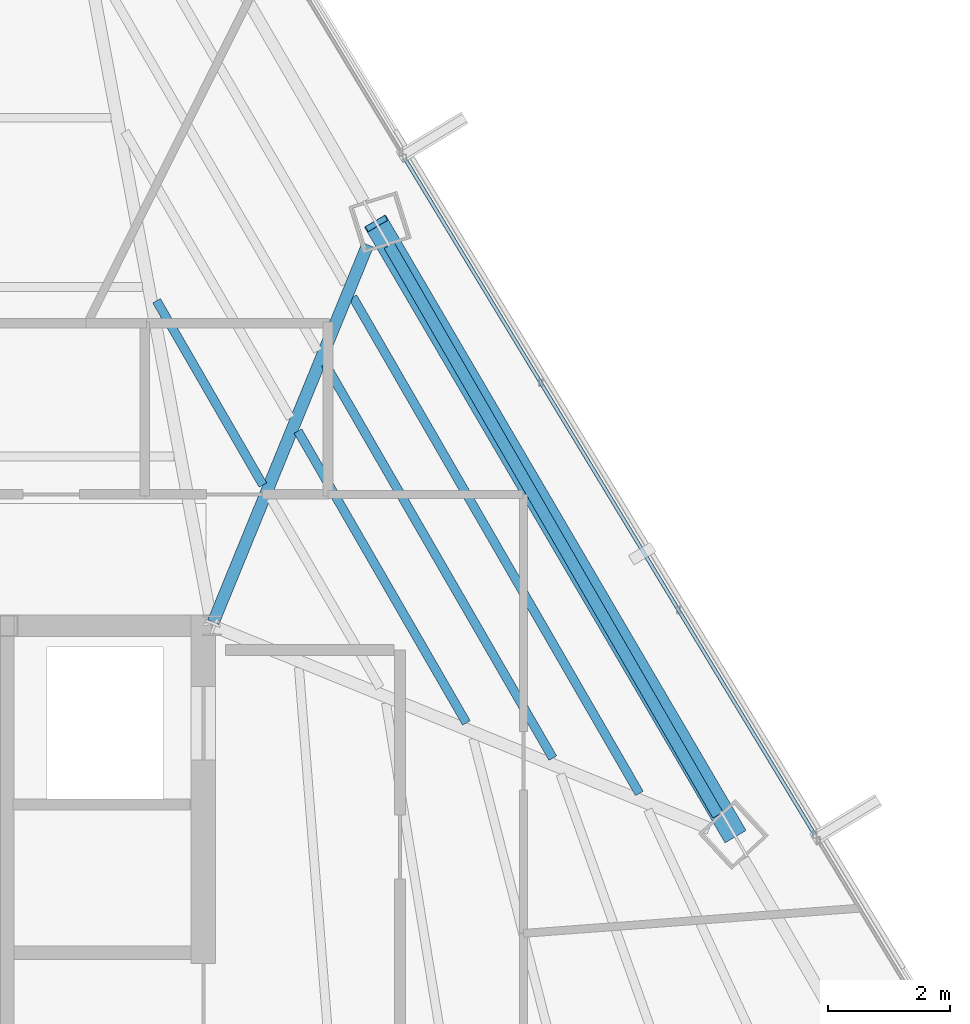
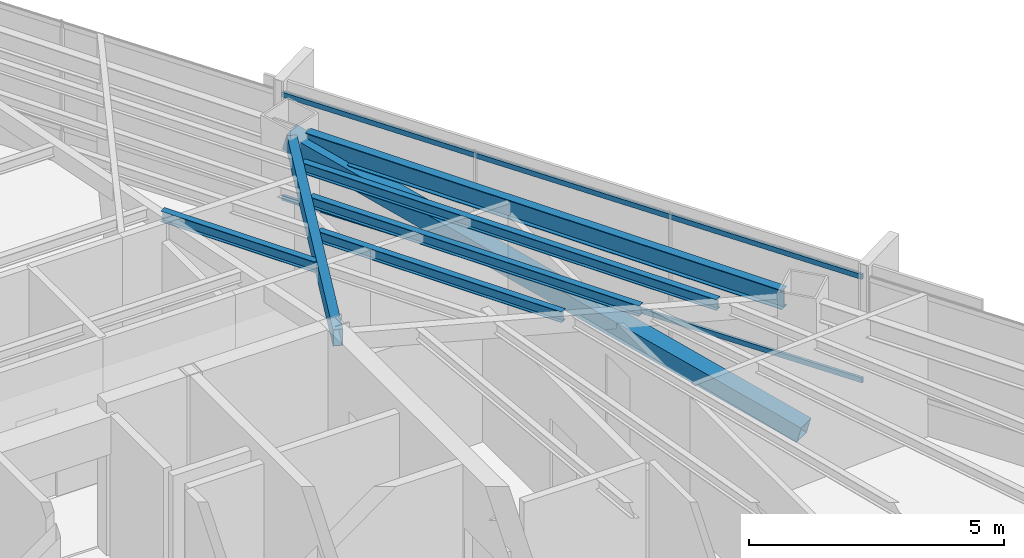
# One storey, part 30 of 47: 6 beams, 3 members, 1 element without a shape of its own.
"""IFC4 building model written with IfcOpenShell, lengths in metres."""

from ifc_helpers import new_model, si_unit, direction, frame, origin, origin_2d, place, context, subcontext, project, spatial, hollow_rectangle, i_section, extrude, source, transform, mapped, material, material_profile, profile_set, type_object, type_shapes, element, aggregate, save


model = new_model("IFC4")

# Units and contexts
model_context = context("Model", 3, precision=1e-05, world=origin(), true_north=direction((0.0, 1.0)))
body_context = subcontext(model_context, "Body", "Model", "MODEL_VIEW")
ifc_project = project(units=[si_unit("LENGTHUNIT", "METRE"), si_unit("AREAUNIT", "SQUARE_METRE"), si_unit("VOLUMEUNIT", "CUBIC_METRE"), si_unit("PLANEANGLEUNIT", "RADIAN"), si_unit("MASSUNIT", "GRAM", prefix="KILO")], contexts=[model_context])

# Site, building, storey
site_placement = place(None, origin())
site = spatial("IfcSite", under=ifc_project, at=site_placement, CompositionType="ELEMENT")
building_placement = place(site_placement, origin())
building = spatial("IfcBuilding", under=site, at=building_placement, Name="Caelisora Broadcast Tower", CompositionType="ELEMENT")
storey_placement = place(building_placement, frame((0.0, 0.0, 229.85009765625)))
storey = spatial("IfcBuildingStorey", under=building, at=storey_placement, Name="L60", CompositionType="ELEMENT", Elevation=229.85009765625)

# Beams
ifc_material_1 = material(Name="Steel Grade 350 (AS/NZS 3679.1)", Category="steel")
ifc_material_profile_1 = material_profile(ifc_material_1, i_section(OverallWidth=0.19091796875, OverallDepth=0.46044921875, WebThickness=0.010009765625, FlangeThickness=0.01611328125, at=origin_2d()), Name="Steel Grade 350 (AS/NZS 3679.1)")
ifc_profile_set_1 = profile_set([ifc_material_profile_1], Name="Steel Grade 350 (AS/NZS 3679.1)")
beam_type_1 = type_object("IfcBeamType", Name="PG06", PredefinedType="BEAM", material=ifc_profile_set_1)
shared_shape_1 = source(origin(), body_context, "Body", "SweptSolid", [
    extrude(i_section(OverallWidth=0.19091796875, OverallDepth=0.46044921875, WebThickness=0.010009765625, FlangeThickness=0.01611328125, at=origin_2d()), origin(), (0.0, 0.0, 1.0), 10.771728515625),
])
type_shapes(beam_type_1, [shared_shape_1])
beam_1_placement = place(storey_placement, frame((53.78857421875, 26.896484375, 3.169677734375), z_axis=(-0.499990586292, 0.866030838723, 0.0), x_axis=(-0.866030838723, -0.499990586292, 0.0)))
element("IfcBeam", 1, at=beam_1_placement, inside=storey, type_object=beam_type_1, Name="L60 beam PG06", PredefinedType="BEAM", context=body_context, shape_type="MappedRepresentation", body=[
    mapped(shared_shape_1, transform((0.0, 0.0, 0.0), scale=1.0)),
])
ifc_material_2 = material(Name="Steel Grade 350 (AS/NZS 1163 C350L0)", Category="steel")
ifc_material_profile_2 = material_profile(ifc_material_2, hollow_rectangle(XDim=0.199951171875, YDim=0.39990234375, WallThickness=0.012451171875, at=origin_2d()), Name="Steel Grade 350 (AS/NZS 1163 C350L0)")
ifc_profile_set_2 = profile_set([ifc_material_profile_2], Name="Steel Grade 350 (AS/NZS 1163 C350L0)")
beam_type_2 = type_object("IfcBeamType", Name="PG07", PredefinedType="BEAM", material=ifc_profile_set_2)
shared_shape_2 = source(origin(), body_context, "Body", "SweptSolid", [
    extrude(hollow_rectangle(XDim=0.199951171875, YDim=0.39990234375, WallThickness=0.012451171875, at=origin_2d()), origin(), (0.0, 0.0, 1.0), 6.679443359375),
])
type_shapes(beam_type_2, [shared_shape_2])
beam_2_placement = place(storey_placement, frame((45.522705078125, 30.055419921875, 3.199951171875), z_axis=(0.378739584532, 0.925503283143, 0.0), x_axis=(-0.925503283143, 0.378739584532, 0.0)))
element("IfcBeam", 2, at=beam_2_placement, inside=storey, type_object=beam_type_2, Name="L60 beam PG07", PredefinedType="BEAM", context=body_context, shape_type="MappedRepresentation", body=[
    mapped(shared_shape_2, transform((0.0, 0.0, 0.0), scale=1.0)),
])
ifc_material_profile_3 = material_profile(ifc_material_1, i_section(OverallWidth=0.14599609375, OverallDepth=0.256103515625, WebThickness=0.00634765625, FlangeThickness=0.010986328125, at=origin_2d()), Name="Steel Grade 350 (AS/NZS 3679.1)")
ifc_profile_set_3 = profile_set([ifc_material_profile_3], Name="Steel Grade 350 (AS/NZS 3679.1)")
beam_type_3 = type_object("IfcBeamType", Name="SB04", PredefinedType="JOIST", material=ifc_profile_set_3)
shared_shape_3 = source(origin(), body_context, "Body", "SweptSolid", [
    extrude(i_section(OverallWidth=0.14599609375, OverallDepth=0.256103515625, WebThickness=0.00634765625, FlangeThickness=0.010986328125, at=origin_2d()), origin(), (0.0, 0.0, 1.0), 3.484375),
])
beam_3_placement = place(storey_placement, frame((46.33642578125, 32.302001953125, 3.271728515625), z_axis=(-0.499944854726, 0.866057239582, 0.0), x_axis=(-0.866057239582, -0.499944854726, 0.0)))
element("IfcBeam", 3, at=beam_3_placement, inside=storey, type_object=beam_type_3, Name="L60 beam SB04", PredefinedType="JOIST", context=body_context, shape_type="MappedRepresentation", body=[
    mapped(shared_shape_3, transform((0.0, 0.0, 0.0), scale=1.0)),
])
shared_shape_4 = source(origin(), body_context, "Body", "SweptSolid", [
    extrude(i_section(OverallWidth=0.14599609375, OverallDepth=0.256103515625, WebThickness=0.00634765625, FlangeThickness=0.010986328125, at=origin_2d()), origin(), (0.0, 0.0, 1.0), 5.518310546875),
])
beam_4_placement = place(storey_placement, frame((49.668212890625, 28.40673828125, 3.271728515625), z_axis=(-0.499979045085, 0.866037501772, 0.0), x_axis=(-0.866037501772, -0.499979045085, 0.0)))
element("IfcBeam", 4, at=beam_4_placement, inside=storey, type_object=beam_type_3, Name="L60 beam SB04", PredefinedType="JOIST", context=body_context, shape_type="MappedRepresentation", body=[
    mapped(shared_shape_4, transform((0.0, 0.0, 0.0), scale=1.0)),
])
shared_shape_5 = source(origin(), body_context, "Body", "SweptSolid", [
    extrude(i_section(OverallWidth=0.14599609375, OverallDepth=0.256103515625, WebThickness=0.00634765625, FlangeThickness=0.010986328125, at=origin_2d()), origin(), (0.0, 0.0, 1.0), 7.451904296875),
])
beam_5_placement = place(storey_placement, frame((51.084228515625, 27.82958984375, 3.271728515625), z_axis=(-0.499983364532, 0.866035008063, 0.0), x_axis=(-0.866035008063, -0.499983364532, 0.0)))
element("IfcBeam", 5, at=beam_5_placement, inside=storey, type_object=beam_type_3, Name="L60 beam SB04", PredefinedType="JOIST", context=body_context, shape_type="MappedRepresentation", body=[
    mapped(shared_shape_5, transform((0.0, 0.0, 0.0), scale=1.0)),
])
shared_shape_6 = source(origin(), body_context, "Body", "SweptSolid", [
    extrude(i_section(OverallWidth=0.14599609375, OverallDepth=0.256103515625, WebThickness=0.00634765625, FlangeThickness=0.010986328125, at=origin_2d()), origin(), (0.0, 0.0, 1.0), 9.38623046875),
])
type_shapes(beam_type_3, [shared_shape_3, shared_shape_4, shared_shape_5, shared_shape_6])
beam_6_placement = place(storey_placement, frame((52.50048828125, 27.252197265625, 3.271728515625), z_axis=(-0.50000239533, 0.866024020835, 0.0), x_axis=(-0.866024020835, -0.50000239533, 0.0)))
element("IfcBeam", 6, at=beam_6_placement, inside=storey, type_object=beam_type_3, Name="L60 beam SB04", PredefinedType="JOIST", context=body_context, shape_type="MappedRepresentation", body=[
    mapped(shared_shape_6, transform((0.0, 0.0, 0.0), scale=1.0)),
])

# Member
ifc_material_3 = material(Name="Steel Grade 450 (AS/NZS 1163 C450L0)", Category="steel")
ifc_material_profile_4 = material_profile(ifc_material_3, hollow_rectangle(XDim=0.39990234375, YDim=0.39990234375, WallThickness=0.01611328125, at=origin_2d()), Name="Steel Grade 450 (AS/NZS 1163 C450L0)")
ifc_profile_set_4 = profile_set([ifc_material_profile_4], Name="Steel Grade 450 (AS/NZS 1163 C450L0)")
member_type_1 = type_object("IfcMemberType", Name="BR04", PredefinedType="BRACE", material=ifc_profile_set_4)
shared_shape_7 = source(origin(), body_context, "Body", "SweptSolid", [
    extrude(hollow_rectangle(XDim=0.39990234375, YDim=0.39990234375, WallThickness=0.01611328125, at=origin_2d()), origin(), (0.0, 0.0, 1.0), 11.969482421875),
])
type_shapes(member_type_1, [shared_shape_7])
member_1_placement = place(storey_placement, frame((54.051025390625, 26.586669921875, 0.099853515625), z_axis=(-0.489265650254, 0.835343537771, 0.250639776142), x_axis=(-0.862886511455, -0.505397732829, 0.0)))
element("IfcMember", 7, at=member_1_placement, inside=storey, type_object=member_type_1, Name="L60 perimeter brace BR04", PredefinedType="BRACE", context=body_context, shape_type="MappedRepresentation", body=[
    mapped(shared_shape_7, transform((0.0, 0.0, 0.0), scale=1.0)),
])

# Curtain wall, members
ifc_material_4 = material(Name="Unitised Aluminium Insulated Shadow-Box Spandrel Curtain Wall", Category="aluminium")
curtain_wall_type = type_object("IfcCurtainWallType", Name="CW-SP3", PredefinedType="NOTDEFINED", material=ifc_material_4)
curtain_wall_placement = place(storey_placement, origin())
curtain_wall = element("IfcCurtainWall", 8, at=curtain_wall_placement, inside=storey, type_object=curtain_wall_type, Name="L60 curtain wall CW-SP3", PredefinedType="NOTDEFINED")
ifc_material_5 = material(Name="Aluminium 6063-T6 Anodised Terracotta Bronze", Category="aluminium")
ifc_material_profile_5 = material_profile(ifc_material_5, hollow_rectangle(XDim=0.06005859375, YDim=0.1201171875, WallThickness=0.0029296875, at=origin_2d()), Name="Aluminium 6063-T6 Anodised Terracotta Bronze")
ifc_profile_set_5 = profile_set([ifc_material_profile_5], Name="Aluminium 6063-T6 Anodised Terracotta Bronze")
member_type_2 = type_object("IfcMemberType", Name="CWT-03", PredefinedType="USERDEFINED", material=ifc_profile_set_5)
shared_shape_8 = source(origin(), body_context, "Body", "SweptSolid", [
    extrude(hollow_rectangle(XDim=0.06005859375, YDim=0.1201171875, WallThickness=0.0029296875, at=origin_2d()), origin(), (0.0, 0.0, 1.0), 12.958251953125),
])
type_shapes(member_type_2, [shared_shape_8])
member_2_placement = place(storey_placement, frame((48.655517578125, 37.656494140625, 0.849853515625), z_axis=(0.5184357447, -0.855116587734, 0.0), x_axis=(0.855116587734, 0.5184357447, 0.0)))
member_2 = element("IfcMember", 9, at=member_2_placement, type_object=member_type_2, Name="L60-CW-B02 transom #1", ObjectType="TRANSOM", PredefinedType="USERDEFINED", context=body_context, shape_type="MappedRepresentation", body=[
    mapped(shared_shape_8, transform((0.0, 0.0, 0.0), scale=1.0)),
])
member_3_placement = place(storey_placement, frame((48.655517578125, 37.656494140625, 3.31982421875), z_axis=(0.5184357447, -0.855116587734, 0.0), x_axis=(0.855116587734, 0.5184357447, 0.0)))
member_3 = element("IfcMember", 10, at=member_3_placement, type_object=member_type_2, Name="L60-CW-B02 transom #2", ObjectType="TRANSOM", PredefinedType="USERDEFINED", context=body_context, shape_type="MappedRepresentation", body=[
    mapped(shared_shape_8, transform((0.0, 0.0, 0.0), scale=1.0)),
])
aggregate(curtain_wall, [member_2, member_3])

save(model, "model.ifc")
